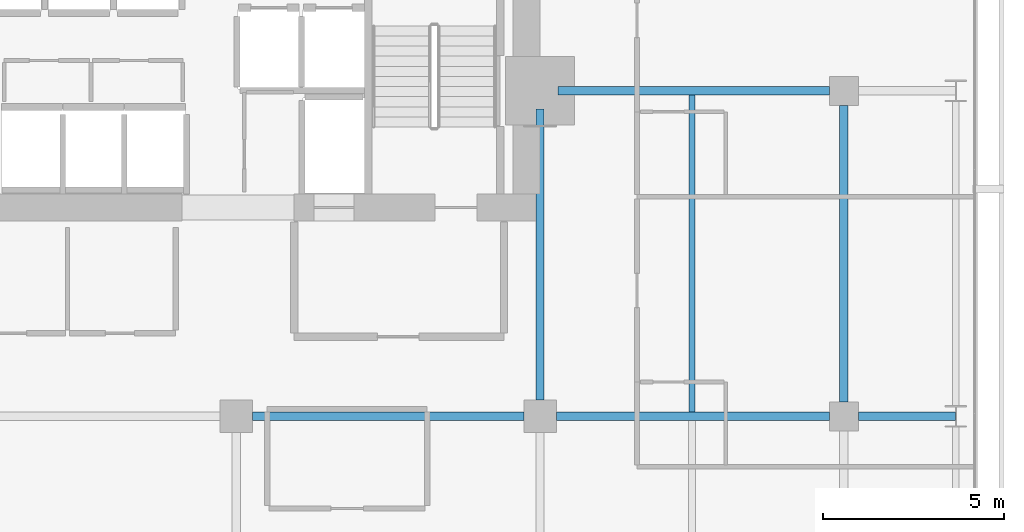
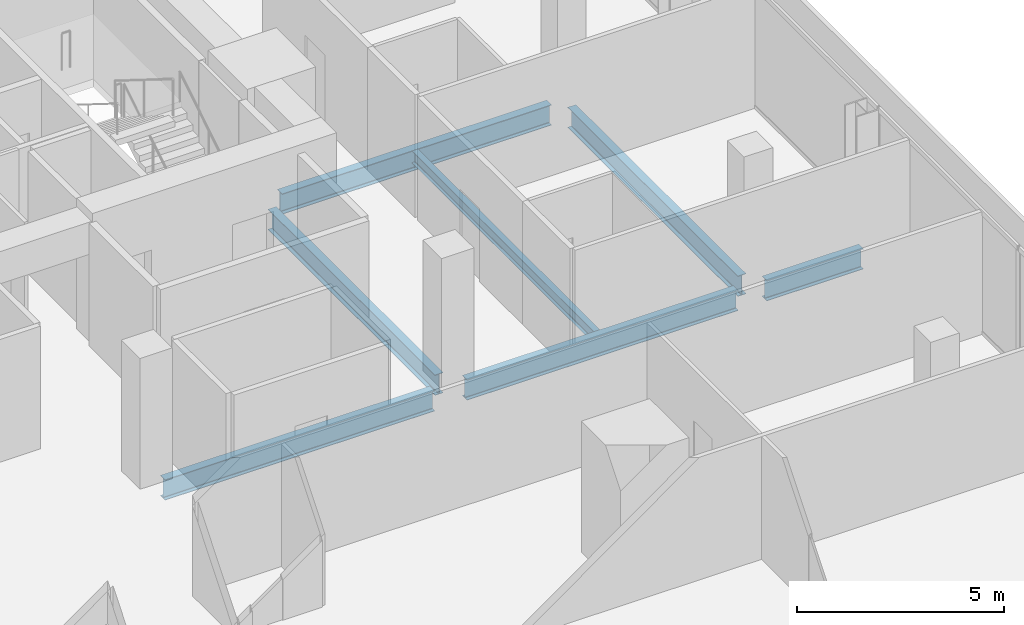
# One storey, part 23 of 33: 7 beams.
"""IFC4 building model written with IfcOpenShell, lengths in metres."""

from ifc_helpers import new_model, si_unit, direction, frame, origin, origin_2d, place, context, subcontext, project, spatial, i_section, extrude, material, material_profile, profile_set, type_object, element, save


model = new_model("IFC4")

# Units and contexts
model_context = context("Model", 3, precision=1e-05, world=origin(), true_north=direction((0.0, 1.0)))
body_context = subcontext(model_context, "Body", "Model", "MODEL_VIEW")
ifc_project = project(units=[si_unit("LENGTHUNIT", "METRE"), si_unit("AREAUNIT", "SQUARE_METRE"), si_unit("VOLUMEUNIT", "CUBIC_METRE"), si_unit("PLANEANGLEUNIT", "RADIAN"), si_unit("MASSUNIT", "GRAM", prefix="KILO")], contexts=[model_context])

# Site, building, storey
site_placement = place(None, origin())
site = spatial("IfcSite", under=ifc_project, at=site_placement, CompositionType="ELEMENT")
building_placement = place(site_placement, origin())
building = spatial("IfcBuilding", under=site, at=building_placement, Name="Maruvema Waterfront Hotel and Observation Tower", CompositionType="ELEMENT")
storey_placement = place(building_placement, frame((0.0, 0.0, 158.199951171875)))
storey = spatial("IfcBuildingStorey", under=building, at=storey_placement, Name="L38", CompositionType="ELEMENT", Elevation=158.199951171875)

# Beams
ifc_material_1 = material(Name="Steel ASTM A572 Grade 50", Category="steel")
ifc_material_profile_1 = material_profile(ifc_material_1, i_section(OverallWidth=0.22802734375, OverallDepth=0.60302734375, WebThickness=0.010498046875, FlangeThickness=0.014892578125, FilletRadius=0.01806640625, at=origin_2d()), Name="W610x101.0")
ifc_profile_set_1 = profile_set([ifc_material_profile_1], Name="Steel ASTM A572 Grade 50")
beam_type_1 = type_object("IfcBeamType", Name="Primary Floor Girder W610x101.0", PredefinedType="BEAM", material=ifc_profile_set_1)
beam_1_placement = place(storey_placement, frame((42.449951171875, 36.0, -0.54150390625), z_axis=(1.0, 0.0, 0.0), x_axis=(0.0, 1.0, 0.0)))
element("IfcBeam", 1, at=beam_1_placement, inside=storey, type_object=beam_type_1, Name="L38 Floor Girder EW-27", PredefinedType="BEAM", context=body_context, shape_type="SweptSolid", body=[
    extrude(i_section(OverallWidth=0.22802734375, OverallDepth=0.60302734375, WebThickness=0.010498046875, FlangeThickness=0.014892578125, FilletRadius=0.01806640625, at=origin_2d()), origin(), (0.0, 0.0, 1.0), 7.5),
])
beam_2_placement = place(storey_placement, frame((50.85009765625, 36.0, -0.54150390625), z_axis=(1.0, 0.0, 0.0), x_axis=(0.0, 1.0, 0.0)))
element("IfcBeam", 2, at=beam_2_placement, inside=storey, type_object=beam_type_1, Name="L38 Floor Girder EW-28", PredefinedType="BEAM", context=body_context, shape_type="SweptSolid", body=[
    extrude(i_section(OverallWidth=0.22802734375, OverallDepth=0.60302734375, WebThickness=0.010498046875, FlangeThickness=0.014892578125, FilletRadius=0.01806640625, at=origin_2d()), origin(), (0.0, 0.0, 1.0), 7.5498046875),
])
beam_3_placement = place(storey_placement, frame((59.199951171875, 36.0, -0.54150390625), z_axis=(1.0, 0.0, 0.0), x_axis=(0.0, 1.0, 0.0)))
element("IfcBeam", 3, at=beam_3_placement, inside=storey, type_object=beam_type_1, Name="L38 Floor Girder EW-29", PredefinedType="BEAM", context=body_context, shape_type="SweptSolid", body=[
    extrude(i_section(OverallWidth=0.22802734375, OverallDepth=0.60302734375, WebThickness=0.010498046875, FlangeThickness=0.014892578125, FilletRadius=0.01806640625, at=origin_2d()), origin(), (0.0, 0.0, 1.0), 2.6875),
])
beam_4_placement = place(storey_placement, frame((50.89990234375, 45.0, -0.54150390625), z_axis=(1.0, 0.0, 0.0), x_axis=(0.0, 1.0, 0.0)))
element("IfcBeam", 4, at=beam_4_placement, inside=storey, type_object=beam_type_1, Name="L38 Floor Girder EW-32", PredefinedType="BEAM", context=body_context, shape_type="SweptSolid", body=[
    extrude(i_section(OverallWidth=0.22802734375, OverallDepth=0.60302734375, WebThickness=0.010498046875, FlangeThickness=0.014892578125, FilletRadius=0.01806640625, at=origin_2d()), origin(), (0.0, 0.0, 1.0), 7.5),
])
beam_5_placement = place(storey_placement, frame((50.39990234375, 36.449951171875, -0.54150390625), z_axis=(0.0, 1.0, 0.0), x_axis=(-1.0, 0.0, 0.0)))
element("IfcBeam", 5, at=beam_5_placement, inside=storey, type_object=beam_type_1, Name="L38 Floor Girder NS-24", PredefinedType="BEAM", context=body_context, shape_type="SweptSolid", body=[
    extrude(i_section(OverallWidth=0.22802734375, OverallDepth=0.60302734375, WebThickness=0.010498046875, FlangeThickness=0.014892578125, FilletRadius=0.01806640625, at=origin_2d()), origin(), (0.0, 0.0, 1.0), 8.050048828125),
])
beam_6_placement = place(storey_placement, frame((58.800048828125, 36.39990234375, -0.54150390625), z_axis=(0.0, 1.0, 0.0), x_axis=(-1.0, 0.0, 0.0)))
element("IfcBeam", 6, at=beam_6_placement, inside=storey, type_object=beam_type_1, Name="L38 Floor Girder NS-28", PredefinedType="BEAM", context=body_context, shape_type="SweptSolid", body=[
    extrude(i_section(OverallWidth=0.22802734375, OverallDepth=0.60302734375, WebThickness=0.010498046875, FlangeThickness=0.014892578125, FilletRadius=0.01806640625, at=origin_2d()), origin(), (0.0, 0.0, 1.0), 8.2001953125),
])
ifc_material_2 = material(Name="Steel ASTM A572 Grade 50", Category="steel")
ifc_material_profile_2 = material_profile(ifc_material_2, i_section(OverallWidth=0.1708984375, OverallDepth=0.35498046875, WebThickness=0.007080078125, FlangeThickness=0.01171875, FilletRadius=0.014892578125, at=origin_2d()), Name="W360x51.0")
ifc_profile_set_2 = profile_set([ifc_material_profile_2], Name="Steel ASTM A572 Grade 50")
beam_type_2 = type_object("IfcBeamType", Name="Secondary Floor Joist W360x51.0", PredefinedType="JOIST", material=ifc_profile_set_2)
beam_7_placement = place(storey_placement, frame((54.60009765625, 36.114013671875, -0.41748046875), z_axis=(0.0, 1.0, 0.0), x_axis=(-1.0, 0.0, 0.0)))
element("IfcBeam", 7, at=beam_7_placement, inside=storey, type_object=beam_type_2, Name="L38 Secondary Floor Joist JS-14", PredefinedType="JOIST", context=body_context, shape_type="SweptSolid", body=[
    extrude(i_section(OverallWidth=0.1708984375, OverallDepth=0.35498046875, WebThickness=0.007080078125, FlangeThickness=0.01171875, FilletRadius=0.014892578125, at=origin_2d()), origin(), (0.0, 0.0, 1.0), 8.77197265625),
])

save(model, "model.ifc")
